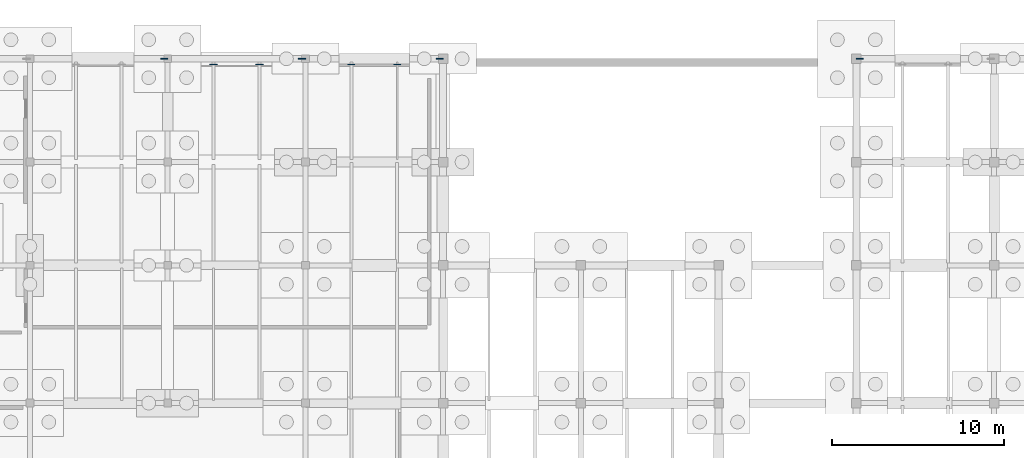
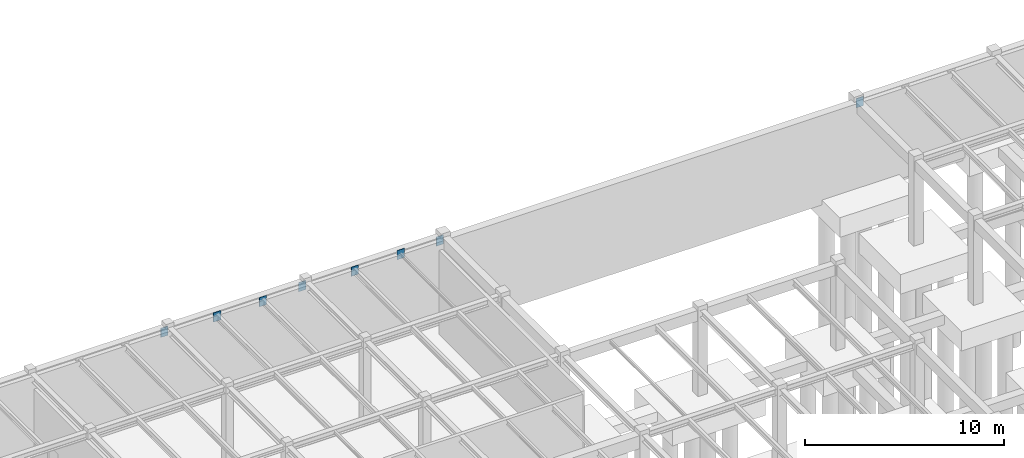
# One storey, part 43 of 71: 8 plates.
"""IFC4 building model written with IfcOpenShell, lengths in metres."""

from ifc_helpers import new_model, si_unit, direction, frame, origin, origin_2d, place, context, subcontext, project, spatial, rectangle, extrude, material, layer, layer_set, type_object, element, save


model = new_model("IFC4")

# Units and contexts
model_context = context("Model", 3, precision=1e-05, world=origin(), true_north=direction((0.0, 1.0)))
body_context = subcontext(model_context, "Body", "Model", "MODEL_VIEW")
ifc_project = project(units=[si_unit("LENGTHUNIT", "METRE"), si_unit("AREAUNIT", "SQUARE_METRE"), si_unit("VOLUMEUNIT", "CUBIC_METRE"), si_unit("PLANEANGLEUNIT", "RADIAN"), si_unit("MASSUNIT", "GRAM", prefix="KILO")], contexts=[model_context])

# Site, building, storey
site_placement = place(None, origin())
site = spatial("IfcSite", under=ifc_project, at=site_placement, CompositionType="ELEMENT")
building_placement = place(site_placement, origin())
building = spatial("IfcBuilding", under=site, at=building_placement, Name="Sundkrona Museum", CompositionType="ELEMENT")
storey_placement = place(building_placement, frame((0.0, 0.0, -5.39990234375)))
storey = spatial("IfcBuildingStorey", under=building, at=storey_placement, Name="B1", CompositionType="ELEMENT", Elevation=-5.39990234375)

# Plates
ifc_material = material(Name="Steel S355J2", Category="steel")
ifc_layer = layer(ifc_material, 0.034912109375)
ifc_layer_set = layer_set([ifc_layer], Name="Steel S355J2")
plate_type = type_object("IfcPlateType", Name="EP-1", PredefinedType="USERDEFINED", material=ifc_layer_set)
for number, where, z_axis, x_axis, name in (
    (1, (63.800048828125, 114.0, 4.554931640625), (0.0, 0.0, 1.0), (1.0, 0.0, 0.0), "Structural Wall Cast-In Embed Plate BM-B1-X-0200-2"),
    (2, (71.800048828125, 114.0, 4.554931640625), (0.0, 0.0, 1.0), (1.0, 0.0, 0.0), "Structural Wall Cast-In Embed Plate BM-B1-X-0201-2"),
    (3, (79.800048828125, 114.0, 4.554931640625), (0.0, 0.0, 1.0), (1.0, 0.0, 0.0), "Structural Wall Cast-In Embed Plate BM-B1-X-0202-2"),
    (4, (104.199951171875, 114.0, 4.514892578125), (0.0, 0.0, 1.0), (1.0, 0.0, 0.0), "Structural Wall Cast-In Embed Plate BM-B1-X-0203-1"),
    (5, (66.666748046875, 113.664306640625, 4.699951171875), (0.0, 0.0, 1.0), (1.0, 0.0, 0.0), "Structural Wall Cast-In Embed Plate JS-B1-0084-2"),
    (6, (69.333251953125, 113.664306640625, 4.699951171875), (0.0, 0.0, 1.0), (1.0, 0.0, 0.0), "Structural Wall Cast-In Embed Plate JS-B1-0085-2"),
    (7, (74.666748046875, 113.664306640625, 4.699951171875), (0.0, 0.0, 1.0), (1.0, 0.0, 0.0), "Structural Wall Cast-In Embed Plate JS-B1-0094-2"),
    (8, (77.333251953125, 113.664306640625, 4.789794921875), (0.0, 0.0, 1.0), (1.0, 0.0, 0.0), "Structural Wall Cast-In Embed Plate JS-B1-0095-2"),
):
    element("IfcPlate", number, at=place(storey_placement, frame(where, z_axis=z_axis, x_axis=x_axis)), inside=storey, type_object=plate_type, Name=name, ObjectType="GUSSET PLATE", PredefinedType="USERDEFINED", context=body_context, shape_type="SweptSolid", body=[
        extrude(rectangle(XDim=0.419921875, YDim=0.034912109375, at=origin_2d()), origin(), (0.0, 0.0, 1.0), 0.56005859375),
    ])

save(model, "model.ifc")
